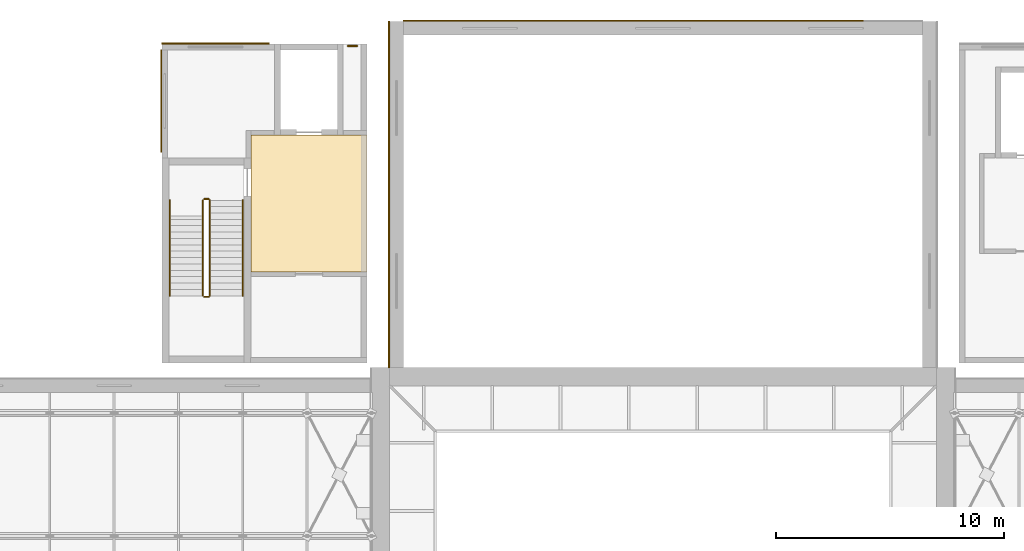
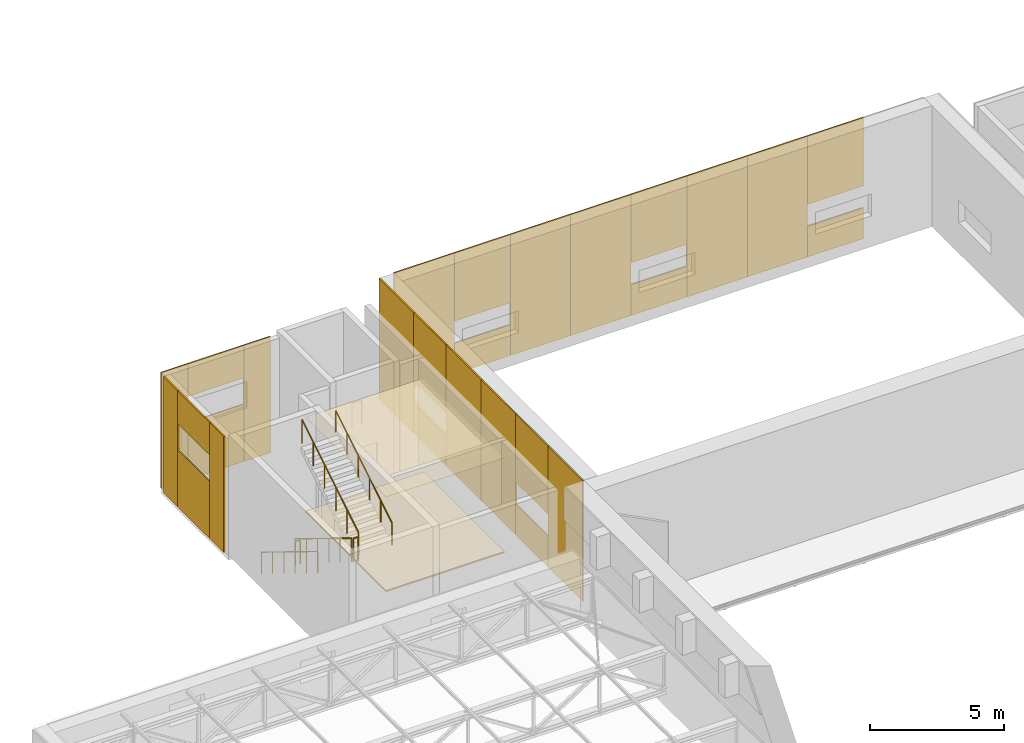
# One storey, part 122 of 132: 29 coverings, 7 railings.
"""IFC4 building model written with IfcOpenShell, lengths in metres."""

from ifc_helpers import new_model, si_unit, direction, frame, origin, origin_2d, place, context, subcontext, project, spatial, polyline, rectangle, circle, outline, extrude, material, layer, layer_set, type_object, element, save


model = new_model("IFC4")

# Units and contexts
model_context = context("Model", 3, precision=1e-05, world=origin(), true_north=direction((0.0, 1.0)))
body_context = subcontext(model_context, "Body", "Model", "MODEL_VIEW")
ifc_project = project(units=[si_unit("LENGTHUNIT", "METRE"), si_unit("AREAUNIT", "SQUARE_METRE"), si_unit("VOLUMEUNIT", "CUBIC_METRE"), si_unit("PLANEANGLEUNIT", "RADIAN"), si_unit("MASSUNIT", "GRAM", prefix="KILO")], contexts=[model_context])

# Site, building, storey
site_placement = place(None, origin())
site = spatial("IfcSite", under=ifc_project, at=site_placement, CompositionType="ELEMENT")
building_placement = place(site_placement, origin())
building = spatial("IfcBuilding", under=site, at=building_placement, Name="Lunette Opera House", CompositionType="ELEMENT")
storey_placement = place(building_placement, frame((0.0, 0.0, 17.0)))
storey = spatial("IfcBuildingStorey", under=building, at=storey_placement, Name="L03", CompositionType="ELEMENT", Elevation=17.0)

# Railings
ifc_material_1 = material(Name="Steel S355", Category="steel")
railing_type_1 = type_object("IfcRailingType", Name="DECK GUARD 1100", PredefinedType="GUARDRAIL", material=ifc_material_1)
railing_1_placement = place(storey_placement, frame((82.580078125, 134.919921875, 0.0)))
element("IfcRailing", 1, at=railing_1_placement, inside=storey, type_object=railing_type_1, Name="Deck guard 044", PredefinedType="GUARDRAIL", context=body_context, shape_type="SweptSolid", body=[
    extrude(circle(Radius=0.02392578125, at=origin_2d()), frame((0.0, 0.0, 1.076171875), z_axis=(-1.0, 0.0, 0.0), x_axis=(0.0, -1.0, 0.0)), (0.0, 0.0, 1.0), 0.420166015625),
    extrude(circle(Radius=0.02099609375, at=origin_2d()), origin(), (0.0, 0.0, 1.0), 1.052001953125),
    extrude(circle(Radius=0.02099609375, at=origin_2d()), frame((-0.420166015625, 0.0, 0.0)), (0.0, 0.0, 1.0), 1.052001953125),
])
ifc_material_2 = material(Name="Steel S355", Category="steel")
railing_type_2 = type_object("IfcRailingType", Name="STAIR GUARD 1100", PredefinedType="GUARDRAIL", material=ifc_material_2)
railing_2_placement = place(storey_placement, frame((75.800048828125, 128.14990234375, 0.171875)))
element("IfcRailing", 2, at=railing_2_placement, inside=storey, type_object=railing_type_2, Name="L03 ST11 stair guard 1", PredefinedType="GUARDRAIL", context=body_context, shape_type="SweptSolid", body=[
    extrude(circle(Radius=0.02392578125, at=origin_2d()), frame((0.0, 0.0, 1.076171875), z_axis=(0.0, -0.852242915053, 0.523146264196), x_axis=(1.0, 0.0, 0.0)), (0.0, 0.0, 1.0), 4.92822265625),
    extrude(circle(Radius=0.02099609375, at=origin_2d()), origin(), (0.0, 0.0, 1.0), 1.052001953125),
    extrude(circle(Radius=0.02099609375, at=origin_2d()), frame((0.0, -0.840087890625, 0.515625)), (0.0, 0.0, 1.0), 1.052001953125),
    extrude(circle(Radius=0.02099609375, at=origin_2d()), frame((0.0, -1.679931640625, 1.03125)), (0.0, 0.0, 1.0), 1.052001953125),
    extrude(circle(Radius=0.02099609375, at=origin_2d()), frame((0.0, -2.52001953125, 1.546875)), (0.0, 0.0, 1.0), 1.052001953125),
    extrude(circle(Radius=0.02099609375, at=origin_2d()), frame((0.0, -3.35986328125, 2.0625)), (0.0, 0.0, 1.0), 1.052001953125),
    extrude(circle(Radius=0.02099609375, at=origin_2d()), frame((0.0, -4.199951171875, 2.578125)), (0.0, 0.0, 1.0), 1.052001953125),
])
railing_3_placement = place(storey_placement, frame((75.85009765625, 123.89990234375, 2.75)))
element("IfcRailing", 3, at=railing_3_placement, inside=storey, type_object=railing_type_2, Name="L03 ST11 stair guard 2", PredefinedType="GUARDRAIL", context=body_context, shape_type="SweptSolid", body=[
    extrude(circle(Radius=0.02392578125, at=origin_2d()), frame((0.0, 0.0, 1.076171875), z_axis=(1.0, 0.0, 0.0), x_axis=(0.0, 1.0, 0.0)), (0.0, 0.0, 1.0), 0.199951171875),
    extrude(circle(Radius=0.02099609375, at=origin_2d()), origin(), (0.0, 0.0, 1.0), 1.052001953125),
    extrude(circle(Radius=0.02099609375, at=origin_2d()), frame((0.199951171875, 0.0, 0.0)), (0.0, 0.0, 1.0), 1.052001953125),
])
railing_4_placement = place(storey_placement, frame((76.10009765625, 123.949951171875, 2.921875)))
element("IfcRailing", 4, at=railing_4_placement, inside=storey, type_object=railing_type_2, Name="L03 ST11 stair guard 3", PredefinedType="GUARDRAIL", context=body_context, shape_type="SweptSolid", body=[
    extrude(circle(Radius=0.02392578125, at=origin_2d()), frame((0.0, 0.0, 1.076171875), z_axis=(0.0, 0.852242915053, 0.523146264196), x_axis=(-1.0, 0.0, 0.0)), (0.0, 0.0, 1.0), 4.92822265625),
    extrude(circle(Radius=0.02099609375, at=origin_2d()), origin(), (0.0, 0.0, 1.0), 1.052001953125),
    extrude(circle(Radius=0.02099609375, at=origin_2d()), frame((0.0, 0.840087890625, 0.515625)), (0.0, 0.0, 1.0), 1.052001953125),
    extrude(circle(Radius=0.02099609375, at=origin_2d()), frame((0.0, 1.679931640625, 1.03125)), (0.0, 0.0, 1.0), 1.052001953125),
    extrude(circle(Radius=0.02099609375, at=origin_2d()), frame((0.0, 2.52001953125, 1.546875)), (0.0, 0.0, 1.0), 1.052001953125),
    extrude(circle(Radius=0.02099609375, at=origin_2d()), frame((0.0, 3.35986328125, 2.0625)), (0.0, 0.0, 1.0), 1.052001953125),
    extrude(circle(Radius=0.02099609375, at=origin_2d()), frame((0.0, 4.199951171875, 2.578125)), (0.0, 0.0, 1.0), 1.052001953125),
])
railing_5_placement = place(storey_placement, frame((75.85009765625, 128.199951171875, 0.0)))
element("IfcRailing", 5, at=railing_5_placement, inside=storey, type_object=railing_type_2, Name="L03 ST11 stair guard 4", PredefinedType="GUARDRAIL", context=body_context, shape_type="SweptSolid", body=[
    extrude(circle(Radius=0.02392578125, at=origin_2d()), frame((0.0, 0.0, 1.076171875), z_axis=(1.0, 0.0, 0.0), x_axis=(0.0, 1.0, 0.0)), (0.0, 0.0, 1.0), 0.199951171875),
    extrude(circle(Radius=0.02099609375, at=origin_2d()), origin(), (0.0, 0.0, 1.0), 1.052001953125),
    extrude(circle(Radius=0.02099609375, at=origin_2d()), frame((0.199951171875, 0.0, 0.0)), (0.0, 0.0, 1.0), 1.052001953125),
])
ifc_material_3 = material(Name="Steel S355", Category="steel")
railing_type_3 = type_object("IfcRailingType", Name="STAIR HANDRAIL 1000", PredefinedType="HANDRAIL", material=ifc_material_3)
railing_6_placement = place(storey_placement, frame((74.35009765625, 128.14990234375, 0.171875)))
element("IfcRailing", 6, at=railing_6_placement, inside=storey, type_object=railing_type_3, Name="L03 ST11 stair handrail 1", PredefinedType="HANDRAIL", context=body_context, shape_type="SweptSolid", body=[
    extrude(circle(Radius=0.02392578125, at=origin_2d()), frame((0.0, 0.0, 0.97607421875), z_axis=(0.0, -0.852242915053, 0.523146264196), x_axis=(1.0, 0.0, 0.0)), (0.0, 0.0, 1.0), 4.92822265625),
    extrude(circle(Radius=0.02099609375, at=origin_2d()), origin(), (0.0, 0.0, 1.0), 0.951904296875),
    extrude(circle(Radius=0.02099609375, at=origin_2d()), frame((0.0, -0.840087890625, 0.515625)), (0.0, 0.0, 1.0), 0.951904296875),
    extrude(circle(Radius=0.02099609375, at=origin_2d()), frame((0.0, -1.679931640625, 1.03125)), (0.0, 0.0, 1.0), 0.951904296875),
    extrude(circle(Radius=0.02099609375, at=origin_2d()), frame((0.0, -2.52001953125, 1.546875)), (0.0, 0.0, 1.0), 0.951904296875),
    extrude(circle(Radius=0.02099609375, at=origin_2d()), frame((0.0, -3.35986328125, 2.0625)), (0.0, 0.0, 1.0), 0.951904296875),
    extrude(circle(Radius=0.02099609375, at=origin_2d()), frame((0.0, -4.199951171875, 2.578125)), (0.0, 0.0, 1.0), 0.951904296875),
])
railing_7_placement = place(storey_placement, frame((77.550048828125, 123.949951171875, 2.921875)))
element("IfcRailing", 7, at=railing_7_placement, inside=storey, type_object=railing_type_3, Name="L03 ST11 stair handrail 2", PredefinedType="HANDRAIL", context=body_context, shape_type="SweptSolid", body=[
    extrude(circle(Radius=0.02392578125, at=origin_2d()), frame((0.0, 0.0, 0.97607421875), z_axis=(0.0, 0.852242915053, 0.523146264196), x_axis=(-1.0, 0.0, 0.0)), (0.0, 0.0, 1.0), 4.92822265625),
    extrude(circle(Radius=0.02099609375, at=origin_2d()), origin(), (0.0, 0.0, 1.0), 0.951904296875),
    extrude(circle(Radius=0.02099609375, at=origin_2d()), frame((0.0, 0.840087890625, 0.515625)), (0.0, 0.0, 1.0), 0.951904296875),
    extrude(circle(Radius=0.02099609375, at=origin_2d()), frame((0.0, 1.679931640625, 1.03125)), (0.0, 0.0, 1.0), 0.951904296875),
    extrude(circle(Radius=0.02099609375, at=origin_2d()), frame((0.0, 2.52001953125, 1.546875)), (0.0, 0.0, 1.0), 0.951904296875),
    extrude(circle(Radius=0.02099609375, at=origin_2d()), frame((0.0, 3.35986328125, 2.0625)), (0.0, 0.0, 1.0), 0.951904296875),
    extrude(circle(Radius=0.02099609375, at=origin_2d()), frame((0.0, 4.199951171875, 2.578125)), (0.0, 0.0, 1.0), 0.951904296875),
])

# Coverings
ifc_material_4 = material(Name="Aluminium standing seam cladding", Category="aluminium")
ifc_layer_1 = layer(ifc_material_4, 0.06005859375)
ifc_layer_set_1 = layer_set([ifc_layer_1], Name="Aluminium standing seam cladding")
covering_type_1 = type_object("IfcCoveringType", Name="STANDING SEAM CLADDING 60", PredefinedType="CLADDING", material=ifc_layer_set_1)
covering_1_placement = place(storey_placement, frame((83.969970703125, 122.10009765625, 0.0), z_axis=(0.0, 0.0, 1.0), x_axis=(0.0, 1.0, 0.0)))
element("IfcCovering", 8, at=covering_1_placement, inside=storey, type_object=covering_type_1, Name="Standing seam cladding SR-W-1 L03 00", PredefinedType="CLADDING", context=body_context, shape_type="SweptSolid", body=[
    extrude(rectangle(XDim=2.60009765625, YDim=0.06005859375, at=origin_2d()), origin(), (0.0, 0.0, 1.0), 5.5),
])
covering_2_placement = place(storey_placement, frame((83.969970703125, 124.60009765625, 0.0), z_axis=(0.0, 0.0, 1.0), x_axis=(0.0, 1.0, 0.0)))
element("IfcCovering", 9, at=covering_2_placement, inside=storey, type_object=covering_type_1, Name="Standing seam cladding SR-W-1 L03 10", PredefinedType="CLADDING", context=body_context, shape_type="SweptSolid", body=[
    extrude(rectangle(XDim=2.39990234375, YDim=0.06005859375, at=origin_2d()), origin(), (0.0, 0.0, 1.0), 1.39990234375),
])
covering_3_placement = place(storey_placement, frame((83.969970703125, 124.60009765625, 2.39990234375), z_axis=(0.0, 0.0, 1.0), x_axis=(0.0, 1.0, 0.0)))
element("IfcCovering", 10, at=covering_3_placement, inside=storey, type_object=covering_type_1, Name="Standing seam cladding SR-W-1 L03 11", PredefinedType="CLADDING", context=body_context, shape_type="SweptSolid", body=[
    extrude(rectangle(XDim=2.39990234375, YDim=0.06005859375, at=origin_2d()), origin(), (0.0, 0.0, 1.0), 3.10009765625),
])
for number, where, z_axis, x_axis, name in (
    (11, (83.969970703125, 127.10009765625, 0.0), (0.0, 0.0, 1.0), (0.0, 1.0, 0.0), "Standing seam cladding SR-W-1 L03 20"),
    (12, (83.969970703125, 129.699951171875, 0.0), (0.0, 0.0, 1.0), (0.0, 1.0, 0.0), "Standing seam cladding SR-W-1 L03 21"),
):
    element("IfcCovering", number, at=place(storey_placement, frame(where, z_axis=z_axis, x_axis=x_axis)), inside=storey, type_object=covering_type_1, Name=name, PredefinedType="CLADDING", context=body_context, shape_type="SweptSolid", body=[
        extrude(rectangle(XDim=2.60009765625, YDim=0.06005859375, at=origin_2d()), origin(), (0.0, 0.0, 1.0), 5.5),
    ])
covering_4_placement = place(storey_placement, frame((83.969970703125, 132.199951171875, 0.0), z_axis=(0.0, 0.0, 1.0), x_axis=(0.0, 1.0, 0.0)))
element("IfcCovering", 13, at=covering_4_placement, inside=storey, type_object=covering_type_1, Name="Standing seam cladding SR-W-1 L03 30", PredefinedType="CLADDING", context=body_context, shape_type="SweptSolid", body=[
    extrude(rectangle(XDim=2.39990234375, YDim=0.06005859375, at=origin_2d()), origin(), (0.0, 0.0, 1.0), 1.39990234375),
])
covering_5_placement = place(storey_placement, frame((83.969970703125, 132.199951171875, 2.39990234375), z_axis=(0.0, 0.0, 1.0), x_axis=(0.0, 1.0, 0.0)))
element("IfcCovering", 14, at=covering_5_placement, inside=storey, type_object=covering_type_1, Name="Standing seam cladding SR-W-1 L03 31", PredefinedType="CLADDING", context=body_context, shape_type="SweptSolid", body=[
    extrude(rectangle(XDim=2.39990234375, YDim=0.06005859375, at=origin_2d()), origin(), (0.0, 0.0, 1.0), 3.10009765625),
])
for number, where, z_axis, x_axis, name in (
    (15, (83.969970703125, 134.699951171875, 0.0), (0.0, 0.0, 1.0), (0.0, 1.0, 0.0), "Standing seam cladding SR-W-1 L03 40"),
    (16, (85.89990234375, 136.030029296875, 0.0), (0.0, 0.0, 1.0), (1.0, 0.0, 0.0), "Standing seam cladding SR-N-1 L03 00"),
):
    element("IfcCovering", number, at=place(storey_placement, frame(where, z_axis=z_axis, x_axis=x_axis)), inside=storey, type_object=covering_type_1, Name=name, PredefinedType="CLADDING", context=body_context, shape_type="SweptSolid", body=[
        extrude(rectangle(XDim=2.60009765625, YDim=0.06005859375, at=origin_2d()), origin(), (0.0, 0.0, 1.0), 5.5),
    ])
covering_6_placement = place(storey_placement, frame((88.39990234375, 136.030029296875, 0.0), z_axis=(0.0, 0.0, 1.0), x_axis=(1.0, 0.0, 0.0)))
element("IfcCovering", 17, at=covering_6_placement, inside=storey, type_object=covering_type_1, Name="Standing seam cladding SR-N-1 L03 10", PredefinedType="CLADDING", context=body_context, shape_type="SweptSolid", body=[
    extrude(rectangle(XDim=2.39990234375, YDim=0.06005859375, at=origin_2d()), origin(), (0.0, 0.0, 1.0), 1.39990234375),
])
covering_7_placement = place(storey_placement, frame((88.39990234375, 136.030029296875, 2.39990234375), z_axis=(0.0, 0.0, 1.0), x_axis=(1.0, 0.0, 0.0)))
element("IfcCovering", 18, at=covering_7_placement, inside=storey, type_object=covering_type_1, Name="Standing seam cladding SR-N-1 L03 11", PredefinedType="CLADDING", context=body_context, shape_type="SweptSolid", body=[
    extrude(rectangle(XDim=2.39990234375, YDim=0.06005859375, at=origin_2d()), origin(), (0.0, 0.0, 1.0), 3.10009765625),
])
for number, where, z_axis, x_axis, name in (
    (19, (90.89990234375, 136.030029296875, 0.0), (0.0, 0.0, 1.0), (1.0, 0.0, 0.0), "Standing seam cladding SR-N-1 L03 20"),
    (20, (93.5, 136.030029296875, 0.0), (0.0, 0.0, 1.0), (1.0, 0.0, 0.0), "Standing seam cladding SR-N-1 L03 21"),
):
    element("IfcCovering", number, at=place(storey_placement, frame(where, z_axis=z_axis, x_axis=x_axis)), inside=storey, type_object=covering_type_1, Name=name, PredefinedType="CLADDING", context=body_context, shape_type="SweptSolid", body=[
        extrude(rectangle(XDim=2.60009765625, YDim=0.06005859375, at=origin_2d()), origin(), (0.0, 0.0, 1.0), 5.5),
    ])
covering_8_placement = place(storey_placement, frame((96.0, 136.030029296875, 0.0), z_axis=(0.0, 0.0, 1.0), x_axis=(1.0, 0.0, 0.0)))
element("IfcCovering", 21, at=covering_8_placement, inside=storey, type_object=covering_type_1, Name="Standing seam cladding SR-N-1 L03 30", PredefinedType="CLADDING", context=body_context, shape_type="SweptSolid", body=[
    extrude(rectangle(XDim=2.39990234375, YDim=0.06005859375, at=origin_2d()), origin(), (0.0, 0.0, 1.0), 1.39990234375),
])
covering_9_placement = place(storey_placement, frame((96.0, 136.030029296875, 2.39990234375), z_axis=(0.0, 0.0, 1.0), x_axis=(1.0, 0.0, 0.0)))
element("IfcCovering", 22, at=covering_9_placement, inside=storey, type_object=covering_type_1, Name="Standing seam cladding SR-N-1 L03 31", PredefinedType="CLADDING", context=body_context, shape_type="SweptSolid", body=[
    extrude(rectangle(XDim=2.39990234375, YDim=0.06005859375, at=origin_2d()), origin(), (0.0, 0.0, 1.0), 3.10009765625),
])
for number, where, z_axis, x_axis, name in (
    (23, (98.5, 136.030029296875, 0.0), (0.0, 0.0, 1.0), (1.0, 0.0, 0.0), "Standing seam cladding SR-N-1 L03 40"),
    (24, (101.10009765625, 136.030029296875, 0.0), (0.0, 0.0, 1.0), (1.0, 0.0, 0.0), "Standing seam cladding SR-N-1 L03 41"),
):
    element("IfcCovering", number, at=place(storey_placement, frame(where, z_axis=z_axis, x_axis=x_axis)), inside=storey, type_object=covering_type_1, Name=name, PredefinedType="CLADDING", context=body_context, shape_type="SweptSolid", body=[
        extrude(rectangle(XDim=2.60009765625, YDim=0.06005859375, at=origin_2d()), origin(), (0.0, 0.0, 1.0), 5.5),
    ])
covering_10_placement = place(storey_placement, frame((103.60009765625, 136.030029296875, 0.0), z_axis=(0.0, 0.0, 1.0), x_axis=(1.0, 0.0, 0.0)))
element("IfcCovering", 25, at=covering_10_placement, inside=storey, type_object=covering_type_1, Name="Standing seam cladding SR-N-1 L03 50", PredefinedType="CLADDING", context=body_context, shape_type="SweptSolid", body=[
    extrude(rectangle(XDim=2.39990234375, YDim=0.06005859375, at=origin_2d()), origin(), (0.0, 0.0, 1.0), 1.39990234375),
])
covering_11_placement = place(storey_placement, frame((103.60009765625, 136.030029296875, 2.39990234375), z_axis=(0.0, 0.0, 1.0), x_axis=(1.0, 0.0, 0.0)))
element("IfcCovering", 26, at=covering_11_placement, inside=storey, type_object=covering_type_1, Name="Standing seam cladding SR-N-1 L03 51", PredefinedType="CLADDING", context=body_context, shape_type="SweptSolid", body=[
    extrude(rectangle(XDim=2.39990234375, YDim=0.06005859375, at=origin_2d()), origin(), (0.0, 0.0, 1.0), 3.10009765625),
])
covering_12_placement = place(storey_placement, frame((78.126953125, 135.030029296875, 0.0), z_axis=(0.0, 0.0, 1.0), x_axis=(-1.0, 0.0, 0.0)))
element("IfcCovering", 27, at=covering_12_placement, inside=storey, type_object=covering_type_1, Name="Standing seam cladding TW21 L03 00", PredefinedType="CLADDING", context=body_context, shape_type="SweptSolid", body=[
    extrude(rectangle(XDim=1.15087890625, YDim=0.06005859375, at=origin_2d()), origin(), (0.0, 0.0, 1.0), 5.280029296875),
])
covering_13_placement = place(storey_placement, frame((76.35205078125, 135.030029296875, 0.0), z_axis=(0.0, 0.0, 1.0), x_axis=(-1.0, 0.0, 0.0)))
element("IfcCovering", 28, at=covering_13_placement, inside=storey, type_object=covering_type_1, Name="Standing seam cladding TW21 L03 10", PredefinedType="CLADDING", context=body_context, shape_type="SweptSolid", body=[
    extrude(rectangle(XDim=2.39990234375, YDim=0.06005859375, at=origin_2d()), origin(), (0.0, 0.0, 1.0), 2.60009765625),
])
covering_14_placement = place(storey_placement, frame((76.35205078125, 135.030029296875, 3.800048828125), z_axis=(0.0, 0.0, 1.0), x_axis=(-1.0, 0.0, 0.0)))
element("IfcCovering", 29, at=covering_14_placement, inside=storey, type_object=covering_type_1, Name="Standing seam cladding TW21 L03 11", PredefinedType="CLADDING", context=body_context, shape_type="SweptSolid", body=[
    extrude(rectangle(XDim=2.39990234375, YDim=0.06005859375, at=origin_2d()), origin(), (0.0, 0.0, 1.0), 1.47998046875),
])
covering_15_placement = place(storey_placement, frame((74.575927734375, 135.030029296875, 0.0), z_axis=(0.0, 0.0, 1.0), x_axis=(-1.0, 0.0, 0.0)))
element("IfcCovering", 30, at=covering_15_placement, inside=storey, type_object=covering_type_1, Name="Standing seam cladding TW21 L03 20", PredefinedType="CLADDING", context=body_context, shape_type="SweptSolid", body=[
    extrude(rectangle(XDim=1.152099609375, YDim=0.06005859375, at=origin_2d()), origin(), (0.0, 0.0, 1.0), 5.280029296875),
])
covering_16_placement = place(storey_placement, frame((73.969970703125, 134.22509765625, 0.0), z_axis=(0.0, 0.0, 1.0), x_axis=(0.0, -1.0, 0.0)))
element("IfcCovering", 31, at=covering_16_placement, inside=storey, type_object=covering_type_1, Name="Standing seam cladding TW22 L03 00", PredefinedType="CLADDING", context=body_context, shape_type="SweptSolid", body=[
    extrude(rectangle(XDim=1.050048828125, YDim=0.06005859375, at=origin_2d()), origin(), (0.0, 0.0, 1.0), 5.280029296875),
])
covering_17_placement = place(storey_placement, frame((73.969970703125, 132.5, 0.0), z_axis=(0.0, 0.0, 1.0), x_axis=(0.0, -1.0, 0.0)))
element("IfcCovering", 32, at=covering_17_placement, inside=storey, type_object=covering_type_1, Name="Standing seam cladding TW22 L03 10", PredefinedType="CLADDING", context=body_context, shape_type="SweptSolid", body=[
    extrude(rectangle(XDim=2.39990234375, YDim=0.06005859375, at=origin_2d()), origin(), (0.0, 0.0, 1.0), 2.60009765625),
])
covering_18_placement = place(storey_placement, frame((73.969970703125, 132.5, 3.800048828125), z_axis=(0.0, 0.0, 1.0), x_axis=(0.0, -1.0, 0.0)))
element("IfcCovering", 33, at=covering_18_placement, inside=storey, type_object=covering_type_1, Name="Standing seam cladding TW22 L03 11", PredefinedType="CLADDING", context=body_context, shape_type="SweptSolid", body=[
    extrude(rectangle(XDim=2.39990234375, YDim=0.06005859375, at=origin_2d()), origin(), (0.0, 0.0, 1.0), 1.47998046875),
])
covering_19_placement = place(storey_placement, frame((73.969970703125, 130.77490234375, 0.0), z_axis=(0.0, 0.0, 1.0), x_axis=(0.0, -1.0, 0.0)))
element("IfcCovering", 34, at=covering_19_placement, inside=storey, type_object=covering_type_1, Name="Standing seam cladding TW22 L03 20", PredefinedType="CLADDING", context=body_context, shape_type="SweptSolid", body=[
    extrude(rectangle(XDim=1.050048828125, YDim=0.06005859375, at=origin_2d()), origin(), (0.0, 0.0, 1.0), 5.280029296875),
])
ifc_material_5 = material(Name="Mineral fibre board")
ifc_layer_2 = layer(ifc_material_5, 0.014892578125)
ifc_layer_set_2 = layer_set([ifc_layer_2], Name="Mineral fibre board")
covering_type_2 = type_object("IfcCoveringType", Name="SUSPENDED ACOUSTIC CEILING 15", PredefinedType="CEILING", material=ifc_layer_set_2)
covering_20_placement = place(storey_placement, frame((0.0, 0.0, 4.31494140625)))
element("IfcCovering", 35, at=covering_20_placement, inside=storey, type_object=covering_type_2, Name="Ceiling Lift Lobby L03 Stage Tower", PredefinedType="CEILING", context=body_context, shape_type="SweptSolid", body=[
    extrude(outline(polyline([(83.0, 125.0), (83.0, 131.0), (77.89990234375, 131.0), (77.89990234375, 125.0), (83.0, 125.0)])), origin(), (0.0, 0.0, 1.0), 0.01513671875),
])
ifc_material_6 = material(Name="Terrazzo")
ifc_layer_3 = layer(ifc_material_6, 0.06005859375)
ifc_layer_set_3 = layer_set([ifc_layer_3], Name="Terrazzo")
covering_type_3 = type_object("IfcCoveringType", Name="TERRAZZO FLOOR FINISH 60", PredefinedType="FLOORING", material=ifc_layer_set_3)
covering_21_placement = place(storey_placement, origin())
element("IfcCovering", 36, at=covering_21_placement, inside=storey, type_object=covering_type_3, Name="Floor finish Lift Lobby L03 Stage Tower", PredefinedType="FLOORING", context=body_context, shape_type="SweptSolid", body=[
    extrude(outline(polyline([(83.0, 125.0), (83.0, 131.0), (77.89990234375, 131.0), (77.89990234375, 125.0), (83.0, 125.0)])), origin(), (0.0, 0.0, 1.0), 0.06005859375),
])

save(model, "model.ifc")
